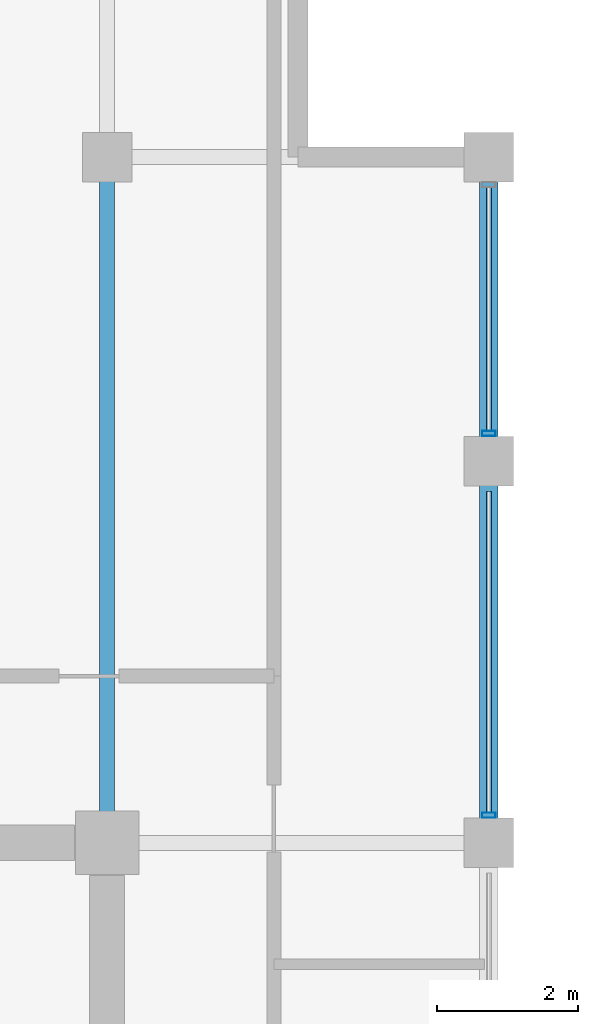
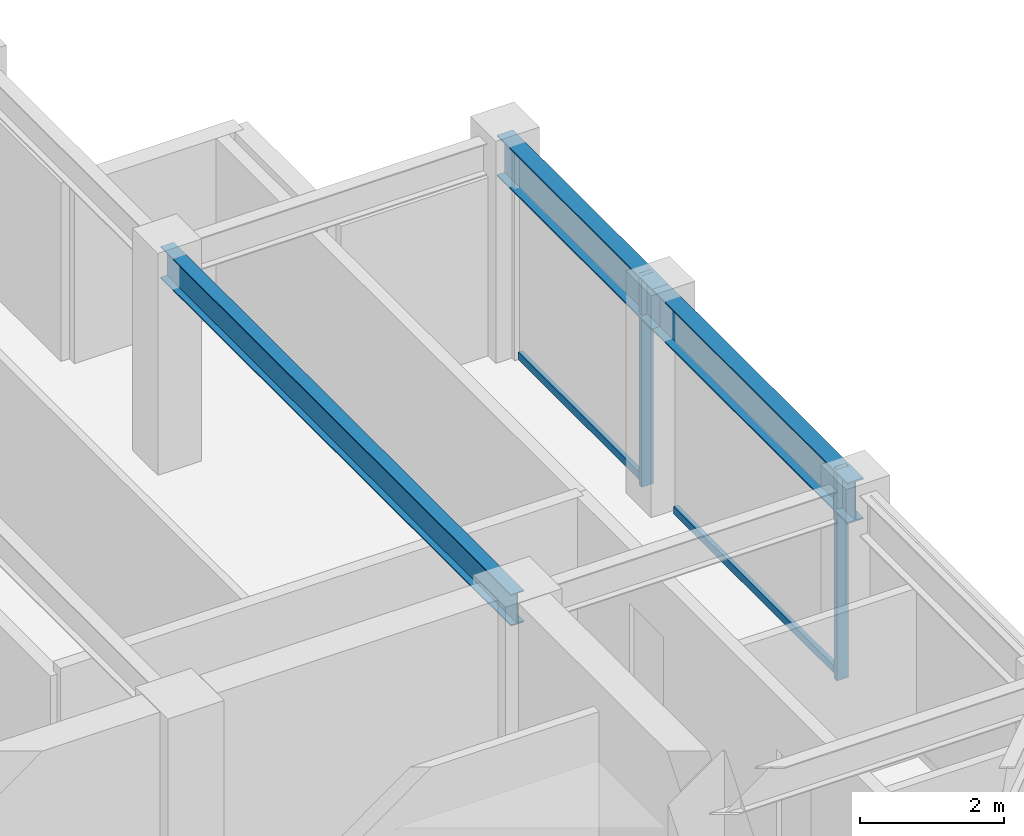
# One storey, part 19 of 31: 4 members, 3 beams, 1 element without a shape of its own.
"""IFC4 building model written with IfcOpenShell, lengths in metres."""

from ifc_helpers import new_model, si_unit, direction, frame, origin, origin_2d, place, context, subcontext, project, spatial, hollow_rectangle, i_section, extrude, material, layer, layer_set, material_profile, profile_set, type_object, element, aggregate, save


model = new_model("IFC4")

# Units and contexts
model_context = context("Model", 3, precision=1e-05, world=origin(), true_north=direction((0.0, 1.0)))
body_context = subcontext(model_context, "Body", "Model", "MODEL_VIEW")
ifc_project = project(units=[si_unit("LENGTHUNIT", "METRE"), si_unit("AREAUNIT", "SQUARE_METRE"), si_unit("VOLUMEUNIT", "CUBIC_METRE"), si_unit("PLANEANGLEUNIT", "RADIAN"), si_unit("MASSUNIT", "GRAM", prefix="KILO")], contexts=[model_context])

# Site, building, storey
site_placement = place(None, origin())
site = spatial("IfcSite", under=ifc_project, at=site_placement, CompositionType="ELEMENT")
building_placement = place(site_placement, origin())
building = spatial("IfcBuilding", under=site, at=building_placement, Name="Surkhivell Harbour Commons", CompositionType="ELEMENT")
storey_placement = place(building_placement, frame((0.0, 0.0, 322.5)))
storey = spatial("IfcBuildingStorey", under=building, at=storey_placement, Name="L84", CompositionType="ELEMENT", Elevation=322.5)

# Beams
ifc_material_1 = material(Name="Steel S355", Category="steel")
ifc_material_profile_1 = material_profile(ifc_material_1, i_section(OverallWidth=0.2099609375, OverallDepth=0.537109375, WebThickness=0.0107421875, FlangeThickness=0.017333984375, at=origin_2d()), Name="UB533x210x101")
ifc_profile_set_1 = profile_set([ifc_material_profile_1], Name="Steel S355")
beam_type_1 = type_object("IfcBeamType", Name="BM-GRD-533B", PredefinedType="BEAM", material=ifc_profile_set_1)
beam_1_placement = place(storey_placement, frame((10.800048828125, 10.800048828125, 3.301513671875), z_axis=(0.0, 1.0, 0.0), x_axis=(-1.0, 0.0, 0.0)))
element("IfcBeam", 1, at=beam_1_placement, inside=storey, type_object=beam_type_1, Name="L84 Floor Girder (10.8,10.8)", PredefinedType="BEAM", context=body_context, shape_type="SweptSolid", body=[
    extrude(i_section(OverallWidth=0.2099609375, OverallDepth=0.537109375, WebThickness=0.0107421875, FlangeThickness=0.017333984375, at=origin_2d()), origin(), (0.0, 0.0, 1.0), 9.699951171875),
])
ifc_material_profile_2 = material_profile(ifc_material_1, i_section(OverallWidth=0.256103515625, OverallDepth=0.693115234375, WebThickness=0.014404296875, FlangeThickness=0.023681640625, at=origin_2d()), Name="UB686x254x170")
ifc_profile_set_2 = profile_set([ifc_material_profile_2], Name="Steel S355")
beam_type_2 = type_object("IfcBeamType", Name="BM-SPN-686", PredefinedType="SPANDREL", material=ifc_profile_set_2)
beam_2_placement = place(storey_placement, frame((16.199951171875, 10.800048828125, 3.223388671875), z_axis=(0.0, 1.0, 0.0), x_axis=(-1.0, 0.0, 0.0)))
element("IfcBeam", 2, at=beam_2_placement, inside=storey, type_object=beam_type_2, Name="L84 Tube Spandrel (16.2,10.8)", PredefinedType="SPANDREL", context=body_context, shape_type="SweptSolid", body=[
    extrude(i_section(OverallWidth=0.256103515625, OverallDepth=0.693115234375, WebThickness=0.014404296875, FlangeThickness=0.023681640625, at=origin_2d()), origin(), (0.0, 0.0, 1.0), 5.39990234375),
])
beam_3_placement = place(storey_placement, frame((16.199951171875, 16.199951171875, 3.223388671875), z_axis=(0.0, 1.0, 0.0), x_axis=(-1.0, 0.0, 0.0)))
element("IfcBeam", 3, at=beam_3_placement, inside=storey, type_object=beam_type_2, Name="L84 Tube Spandrel (16.2,16.2)", PredefinedType="SPANDREL", context=body_context, shape_type="SweptSolid", body=[
    extrude(i_section(OverallWidth=0.256103515625, OverallDepth=0.693115234375, WebThickness=0.014404296875, FlangeThickness=0.023681640625, at=origin_2d()), origin(), (0.0, 0.0, 1.0), 4.300048828125),
])

# Curtain wall, members
ifc_material_2 = material(Name="Anodised pale-metal aluminium and insulated glazing", Category="aluminium")
ifc_layer = layer(ifc_material_2, 0.175048828125)
ifc_layer_set = layer_set([ifc_layer], Name="Anodised pale-metal aluminium and insulated glazing")
curtain_wall_type = type_object("IfcCurtainWallType", Name="CW-SYS-Z4", PredefinedType="NOTDEFINED", material=ifc_layer_set)
curtain_wall_placement = place(storey_placement, origin())
curtain_wall = element("IfcCurtainWall", 4, at=curtain_wall_placement, inside=storey, type_object=curtain_wall_type, Name="L84 Curtain Wall CW-L84-E02R1", PredefinedType="NOTDEFINED")
ifc_material_3 = material(Name="Anodised pale-metal aluminium alloy 6063-T6", Category="aluminium")
ifc_material_profile_3 = material_profile(ifc_material_3, hollow_rectangle(XDim=0.074951171875, YDim=0.18994140625, WallThickness=0.00390625, at=origin_2d()), Name="ALU-MULL-75x190")
ifc_profile_set_3 = profile_set([ifc_material_profile_3], Name="Anodised pale-metal aluminium alloy 6063-T6")
member_type_1 = type_object("IfcMemberType", Name="CWM-190", PredefinedType="MULLION", material=ifc_profile_set_3)
member_1_placement = place(storey_placement, frame((16.199951171875, 11.189453125, 0.0), z_axis=(0.0, 0.0, 1.0), x_axis=(0.0, 1.0, 0.0)))
member_1 = element("IfcMember", 5, at=member_1_placement, type_object=member_type_1, Name="CW-Z4 mullion 3", PredefinedType="MULLION", context=body_context, shape_type="SweptSolid", body=[
    extrude(hollow_rectangle(XDim=0.074951171875, YDim=0.18994140625, WallThickness=0.00390625, at=origin_2d()), origin(), (0.0, 0.0, 1.0), 3.570068359375),
])
member_2_placement = place(storey_placement, frame((16.199951171875, 16.589599609375, 0.0), z_axis=(0.0, 0.0, 1.0), x_axis=(0.0, 1.0, 0.0)))
member_2 = element("IfcMember", 6, at=member_2_placement, type_object=member_type_1, Name="CW-Z4 mullion 4", PredefinedType="MULLION", context=body_context, shape_type="SweptSolid", body=[
    extrude(hollow_rectangle(XDim=0.074951171875, YDim=0.18994140625, WallThickness=0.00390625, at=origin_2d()), origin(), (0.0, 0.0, 1.0), 3.570068359375),
])
ifc_material_4 = material(Name="Champagne anodised aluminium alloy 6063-T6", Category="aluminium")
ifc_material_profile_4 = material_profile(ifc_material_4, hollow_rectangle(XDim=0.070068359375, YDim=0.1298828125, WallThickness=0.00341796875, at=origin_2d()), Name="ALU-TRAN-70x130")
ifc_profile_set_4 = profile_set([ifc_material_profile_4], Name="Champagne anodised aluminium alloy 6063-T6")
member_type_2 = type_object("IfcMemberType", Name="CWT-130", PredefinedType="USERDEFINED", material=ifc_profile_set_4)
member_3_placement = place(storey_placement, frame((16.199951171875, 11.22705078125, 0.06494140625), z_axis=(0.0, 1.0, 0.0), x_axis=(-1.0, 0.0, 0.0)))
member_3 = element("IfcMember", 7, at=member_3_placement, type_object=member_type_2, Name="CW-Z4 transom 3.1", ObjectType="TRANSOM", PredefinedType="USERDEFINED", context=body_context, shape_type="SweptSolid", body=[
    extrude(hollow_rectangle(XDim=0.070068359375, YDim=0.1298828125, WallThickness=0.00341796875, at=origin_2d()), origin(), (0.0, 0.0, 1.0), 4.5458984375),
])
member_4_placement = place(storey_placement, frame((16.199951171875, 16.626953125, 0.06494140625), z_axis=(0.0, 1.0, 0.0), x_axis=(-1.0, 0.0, 0.0)))
member_4 = element("IfcMember", 8, at=member_4_placement, type_object=member_type_2, Name="CW-Z4 transom 4.1", ObjectType="TRANSOM", PredefinedType="USERDEFINED", context=body_context, shape_type="SweptSolid", body=[
    extrude(hollow_rectangle(XDim=0.070068359375, YDim=0.1298828125, WallThickness=0.00341796875, at=origin_2d()), origin(), (0.0, 0.0, 1.0), 3.446044921875),
])
aggregate(curtain_wall, [member_1, member_3, member_2, member_4])

save(model, "model.ifc")
